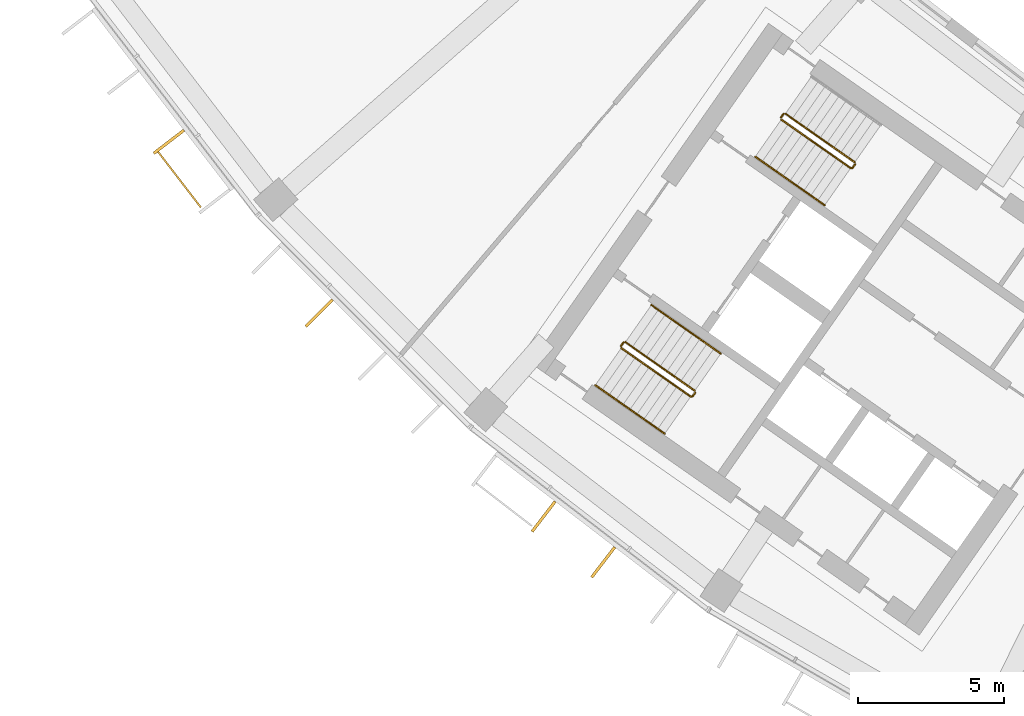
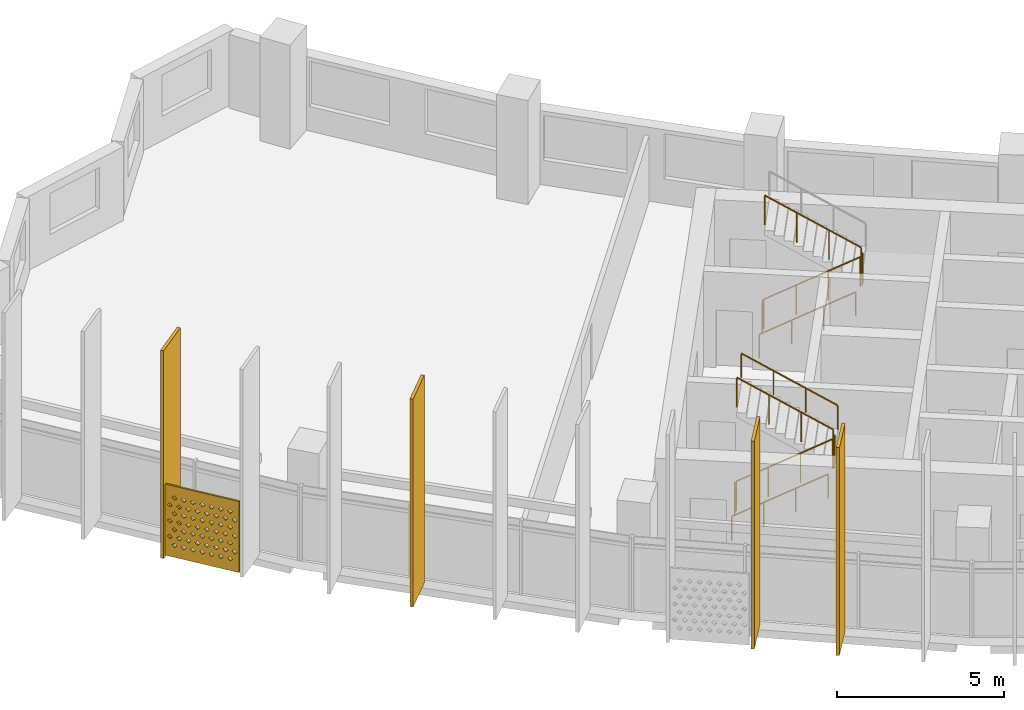
# One storey, part 23 of 28: 9 railings, 5 shading devices.
"""IFC4 building model written with IfcOpenShell, lengths in metres."""

from ifc_helpers import new_model, si_unit, direction, frame, origin, origin_2d, place, context, subcontext, project, spatial, polyline, rectangle, circle, outline, extrude, material, material_profile, profile_set, type_object, element, save


model = new_model("IFC4")

# Units and contexts
model_context = context("Model", 3, precision=1e-05, world=origin(), true_north=direction((0.0, 1.0)))
body_context = subcontext(model_context, "Body", "Model", "MODEL_VIEW")
ifc_project = project(units=[si_unit("LENGTHUNIT", "METRE"), si_unit("AREAUNIT", "SQUARE_METRE"), si_unit("VOLUMEUNIT", "CUBIC_METRE"), si_unit("PLANEANGLEUNIT", "RADIAN"), si_unit("MASSUNIT", "GRAM", prefix="KILO")], contexts=[model_context])

# Site, building, storey
site_placement = place(None, origin())
site = spatial("IfcSite", under=ifc_project, at=site_placement, CompositionType="ELEMENT")
building_placement = place(site_placement, origin())
building = spatial("IfcBuilding", under=site, at=building_placement, Name="Qamariyya Broadcast Tower", CompositionType="ELEMENT")
storey_placement = place(building_placement, frame((0.0, 0.0, 241.699951171875)))
storey = spatial("IfcBuildingStorey", under=building, at=storey_placement, Name="L58", CompositionType="ELEMENT", Elevation=241.699951171875)

# Shading device
ifc_material_1 = material(Name="Perforated glazed terracotta", Category="masonry")
ifc_material_profile_1 = material_profile(ifc_material_1, outline(polyline([(-1.199951171875, -1.300048828125), (1.199951171875, -1.300048828125), (1.199951171875, 1.300048828125), (-1.199951171875, 1.300048828125), (-1.199951171875, -1.300048828125)]), holes=[polyline([(-0.81494140625, -0.86669921875), (-0.89990234375, -0.78173828125), (-0.985107421875, -0.86669921875), (-0.89990234375, -0.95166015625), (-0.81494140625, -0.86669921875)]), polyline([(-0.514892578125, -0.86669921875), (-0.60009765625, -0.78173828125), (-0.68505859375, -0.86669921875), (-0.60009765625, -0.95166015625), (-0.514892578125, -0.86669921875)]), polyline([(-0.215087890625, -0.86669921875), (-0.300048828125, -0.78173828125), (-0.385009765625, -0.86669921875), (-0.300048828125, -0.95166015625), (-0.215087890625, -0.86669921875)]), polyline([(0.0849609375, -0.86669921875), (0.0, -0.78173828125), (-0.0849609375, -0.86669921875), (0.0, -0.95166015625), (0.0849609375, -0.86669921875)]), polyline([(0.385009765625, -0.86669921875), (0.300048828125, -0.78173828125), (0.215087890625, -0.86669921875), (0.300048828125, -0.95166015625), (0.385009765625, -0.86669921875)]), polyline([(0.68505859375, -0.86669921875), (0.60009765625, -0.78173828125), (0.514892578125, -0.86669921875), (0.60009765625, -0.95166015625), (0.68505859375, -0.86669921875)]), polyline([(0.985107421875, -0.86669921875), (0.89990234375, -0.78173828125), (0.81494140625, -0.86669921875), (0.89990234375, -0.95166015625), (0.985107421875, -0.86669921875)]), polyline([(-0.965087890625, -0.577880859375), (-1.050048828125, -0.49267578125), (-1.135009765625, -0.577880859375), (-1.050048828125, -0.662841796875), (-0.965087890625, -0.577880859375)]), polyline([(-0.6650390625, -0.577880859375), (-0.75, -0.49267578125), (-0.8349609375, -0.577880859375), (-0.75, -0.662841796875), (-0.6650390625, -0.577880859375)]), polyline([(-0.364990234375, -0.577880859375), (-0.449951171875, -0.49267578125), (-0.534912109375, -0.577880859375), (-0.449951171875, -0.662841796875), (-0.364990234375, -0.577880859375)]), polyline([(-0.06494140625, -0.577880859375), (-0.14990234375, -0.49267578125), (-0.235107421875, -0.577880859375), (-0.14990234375, -0.662841796875), (-0.06494140625, -0.577880859375)]), polyline([(0.235107421875, -0.577880859375), (0.14990234375, -0.49267578125), (0.06494140625, -0.577880859375), (0.14990234375, -0.662841796875), (0.235107421875, -0.577880859375)]), polyline([(0.534912109375, -0.577880859375), (0.449951171875, -0.49267578125), (0.364990234375, -0.577880859375), (0.449951171875, -0.662841796875), (0.534912109375, -0.577880859375)]), polyline([(0.8349609375, -0.577880859375), (0.75, -0.49267578125), (0.6650390625, -0.577880859375), (0.75, -0.662841796875), (0.8349609375, -0.577880859375)]), polyline([(1.135009765625, -0.577880859375), (1.050048828125, -0.49267578125), (0.965087890625, -0.577880859375), (1.050048828125, -0.662841796875), (1.135009765625, -0.577880859375)]), polyline([(-0.81494140625, -0.288818359375), (-0.89990234375, -0.203857421875), (-0.985107421875, -0.288818359375), (-0.89990234375, -0.373779296875), (-0.81494140625, -0.288818359375)]), polyline([(-0.514892578125, -0.288818359375), (-0.60009765625, -0.203857421875), (-0.68505859375, -0.288818359375), (-0.60009765625, -0.373779296875), (-0.514892578125, -0.288818359375)]), polyline([(-0.215087890625, -0.288818359375), (-0.300048828125, -0.203857421875), (-0.385009765625, -0.288818359375), (-0.300048828125, -0.373779296875), (-0.215087890625, -0.288818359375)]), polyline([(0.0849609375, -0.288818359375), (0.0, -0.203857421875), (-0.0849609375, -0.288818359375), (0.0, -0.373779296875), (0.0849609375, -0.288818359375)]), polyline([(0.385009765625, -0.288818359375), (0.300048828125, -0.203857421875), (0.215087890625, -0.288818359375), (0.300048828125, -0.373779296875), (0.385009765625, -0.288818359375)]), polyline([(0.68505859375, -0.288818359375), (0.60009765625, -0.203857421875), (0.514892578125, -0.288818359375), (0.60009765625, -0.373779296875), (0.68505859375, -0.288818359375)]), polyline([(0.985107421875, -0.288818359375), (0.89990234375, -0.203857421875), (0.81494140625, -0.288818359375), (0.89990234375, -0.373779296875), (0.985107421875, -0.288818359375)]), polyline([(-0.965087890625, 0.0), (-1.050048828125, 0.0849609375), (-1.135009765625, 0.0), (-1.050048828125, -0.0849609375), (-0.965087890625, 0.0)]), polyline([(-0.6650390625, 0.0), (-0.75, 0.0849609375), (-0.8349609375, 0.0), (-0.75, -0.0849609375), (-0.6650390625, 0.0)]), polyline([(-0.364990234375, 0.0), (-0.449951171875, 0.0849609375), (-0.534912109375, 0.0), (-0.449951171875, -0.0849609375), (-0.364990234375, 0.0)]), polyline([(-0.06494140625, 0.0), (-0.14990234375, 0.0849609375), (-0.235107421875, 0.0), (-0.14990234375, -0.0849609375), (-0.06494140625, 0.0)]), polyline([(0.235107421875, 0.0), (0.14990234375, 0.0849609375), (0.06494140625, 0.0), (0.14990234375, -0.0849609375), (0.235107421875, 0.0)]), polyline([(0.534912109375, 0.0), (0.449951171875, 0.0849609375), (0.364990234375, 0.0), (0.449951171875, -0.0849609375), (0.534912109375, 0.0)]), polyline([(0.8349609375, 0.0), (0.75, 0.0849609375), (0.6650390625, 0.0), (0.75, -0.0849609375), (0.8349609375, 0.0)]), polyline([(1.135009765625, 0.0), (1.050048828125, 0.0849609375), (0.965087890625, 0.0), (1.050048828125, -0.0849609375), (1.135009765625, 0.0)]), polyline([(-0.81494140625, 0.288818359375), (-0.89990234375, 0.373779296875), (-0.985107421875, 0.288818359375), (-0.89990234375, 0.203857421875), (-0.81494140625, 0.288818359375)]), polyline([(-0.514892578125, 0.288818359375), (-0.60009765625, 0.373779296875), (-0.68505859375, 0.288818359375), (-0.60009765625, 0.203857421875), (-0.514892578125, 0.288818359375)]), polyline([(-0.215087890625, 0.288818359375), (-0.300048828125, 0.373779296875), (-0.385009765625, 0.288818359375), (-0.300048828125, 0.203857421875), (-0.215087890625, 0.288818359375)]), polyline([(0.0849609375, 0.288818359375), (0.0, 0.373779296875), (-0.0849609375, 0.288818359375), (0.0, 0.203857421875), (0.0849609375, 0.288818359375)]), polyline([(0.385009765625, 0.288818359375), (0.300048828125, 0.373779296875), (0.215087890625, 0.288818359375), (0.300048828125, 0.203857421875), (0.385009765625, 0.288818359375)]), polyline([(0.68505859375, 0.288818359375), (0.60009765625, 0.373779296875), (0.514892578125, 0.288818359375), (0.60009765625, 0.203857421875), (0.68505859375, 0.288818359375)]), polyline([(0.985107421875, 0.288818359375), (0.89990234375, 0.373779296875), (0.81494140625, 0.288818359375), (0.89990234375, 0.203857421875), (0.985107421875, 0.288818359375)]), polyline([(-0.965087890625, 0.577880859375), (-1.050048828125, 0.662841796875), (-1.135009765625, 0.577880859375), (-1.050048828125, 0.49267578125), (-0.965087890625, 0.577880859375)]), polyline([(-0.6650390625, 0.577880859375), (-0.75, 0.662841796875), (-0.8349609375, 0.577880859375), (-0.75, 0.49267578125), (-0.6650390625, 0.577880859375)]), polyline([(-0.364990234375, 0.577880859375), (-0.449951171875, 0.662841796875), (-0.534912109375, 0.577880859375), (-0.449951171875, 0.49267578125), (-0.364990234375, 0.577880859375)]), polyline([(-0.06494140625, 0.577880859375), (-0.14990234375, 0.662841796875), (-0.235107421875, 0.577880859375), (-0.14990234375, 0.49267578125), (-0.06494140625, 0.577880859375)]), polyline([(0.235107421875, 0.577880859375), (0.14990234375, 0.662841796875), (0.06494140625, 0.577880859375), (0.14990234375, 0.49267578125), (0.235107421875, 0.577880859375)]), polyline([(0.534912109375, 0.577880859375), (0.449951171875, 0.662841796875), (0.364990234375, 0.577880859375), (0.449951171875, 0.49267578125), (0.534912109375, 0.577880859375)]), polyline([(0.8349609375, 0.577880859375), (0.75, 0.662841796875), (0.6650390625, 0.577880859375), (0.75, 0.49267578125), (0.8349609375, 0.577880859375)]), polyline([(1.135009765625, 0.577880859375), (1.050048828125, 0.662841796875), (0.965087890625, 0.577880859375), (1.050048828125, 0.49267578125), (1.135009765625, 0.577880859375)]), polyline([(-0.81494140625, 0.86669921875), (-0.89990234375, 0.95166015625), (-0.985107421875, 0.86669921875), (-0.89990234375, 0.78173828125), (-0.81494140625, 0.86669921875)]), polyline([(-0.514892578125, 0.86669921875), (-0.60009765625, 0.95166015625), (-0.68505859375, 0.86669921875), (-0.60009765625, 0.78173828125), (-0.514892578125, 0.86669921875)]), polyline([(-0.215087890625, 0.86669921875), (-0.300048828125, 0.95166015625), (-0.385009765625, 0.86669921875), (-0.300048828125, 0.78173828125), (-0.215087890625, 0.86669921875)]), polyline([(0.0849609375, 0.86669921875), (0.0, 0.95166015625), (-0.0849609375, 0.86669921875), (0.0, 0.78173828125), (0.0849609375, 0.86669921875)]), polyline([(0.385009765625, 0.86669921875), (0.300048828125, 0.95166015625), (0.215087890625, 0.86669921875), (0.300048828125, 0.78173828125), (0.385009765625, 0.86669921875)]), polyline([(0.68505859375, 0.86669921875), (0.60009765625, 0.95166015625), (0.514892578125, 0.86669921875), (0.60009765625, 0.78173828125), (0.68505859375, 0.86669921875)]), polyline([(0.985107421875, 0.86669921875), (0.89990234375, 0.95166015625), (0.81494140625, 0.86669921875), (0.89990234375, 0.78173828125), (0.985107421875, 0.86669921875)])]))
ifc_profile_set_1 = profile_set([ifc_material_profile_1], Name="Perforated glazed terracotta")
shading_device_type_1 = type_object("IfcShadingDeviceType", Name="Perforated terracotta screen 2400 x 2600", PredefinedType="USERDEFINED", material=ifc_profile_set_1)
shading_device_placement = place(storey_placement, frame((-61.727294921875, -50.5615234375, 1.35009765625), z_axis=(-0.792623989105, -0.60971076085, 0.0), x_axis=(0.60971076085, -0.792623989105, 0.0)))
element("IfcShadingDevice", 1, at=shading_device_placement, inside=storey, type_object=shading_device_type_1, Name="e-scr-L58-01-2", ObjectType="SCREEN", PredefinedType="USERDEFINED", context=body_context, shape_type="SweptSolid", body=[
    extrude(outline(polyline([(-1.199951171875, -1.300048828125), (1.199951171875, -1.300048828125), (1.199951171875, 1.300048828125), (-1.199951171875, 1.300048828125), (-1.199951171875, -1.300048828125)]), holes=[polyline([(-0.81494140625, -0.86669921875), (-0.89990234375, -0.78173828125), (-0.985107421875, -0.86669921875), (-0.89990234375, -0.95166015625), (-0.81494140625, -0.86669921875)]), polyline([(-0.514892578125, -0.86669921875), (-0.60009765625, -0.78173828125), (-0.68505859375, -0.86669921875), (-0.60009765625, -0.95166015625), (-0.514892578125, -0.86669921875)]), polyline([(-0.215087890625, -0.86669921875), (-0.300048828125, -0.78173828125), (-0.385009765625, -0.86669921875), (-0.300048828125, -0.95166015625), (-0.215087890625, -0.86669921875)]), polyline([(0.0849609375, -0.86669921875), (0.0, -0.78173828125), (-0.0849609375, -0.86669921875), (0.0, -0.95166015625), (0.0849609375, -0.86669921875)]), polyline([(0.385009765625, -0.86669921875), (0.300048828125, -0.78173828125), (0.215087890625, -0.86669921875), (0.300048828125, -0.95166015625), (0.385009765625, -0.86669921875)]), polyline([(0.68505859375, -0.86669921875), (0.60009765625, -0.78173828125), (0.514892578125, -0.86669921875), (0.60009765625, -0.95166015625), (0.68505859375, -0.86669921875)]), polyline([(0.985107421875, -0.86669921875), (0.89990234375, -0.78173828125), (0.81494140625, -0.86669921875), (0.89990234375, -0.95166015625), (0.985107421875, -0.86669921875)]), polyline([(-0.965087890625, -0.577880859375), (-1.050048828125, -0.49267578125), (-1.135009765625, -0.577880859375), (-1.050048828125, -0.662841796875), (-0.965087890625, -0.577880859375)]), polyline([(-0.6650390625, -0.577880859375), (-0.75, -0.49267578125), (-0.8349609375, -0.577880859375), (-0.75, -0.662841796875), (-0.6650390625, -0.577880859375)]), polyline([(-0.364990234375, -0.577880859375), (-0.449951171875, -0.49267578125), (-0.534912109375, -0.577880859375), (-0.449951171875, -0.662841796875), (-0.364990234375, -0.577880859375)]), polyline([(-0.06494140625, -0.577880859375), (-0.14990234375, -0.49267578125), (-0.235107421875, -0.577880859375), (-0.14990234375, -0.662841796875), (-0.06494140625, -0.577880859375)]), polyline([(0.235107421875, -0.577880859375), (0.14990234375, -0.49267578125), (0.06494140625, -0.577880859375), (0.14990234375, -0.662841796875), (0.235107421875, -0.577880859375)]), polyline([(0.534912109375, -0.577880859375), (0.449951171875, -0.49267578125), (0.364990234375, -0.577880859375), (0.449951171875, -0.662841796875), (0.534912109375, -0.577880859375)]), polyline([(0.8349609375, -0.577880859375), (0.75, -0.49267578125), (0.6650390625, -0.577880859375), (0.75, -0.662841796875), (0.8349609375, -0.577880859375)]), polyline([(1.135009765625, -0.577880859375), (1.050048828125, -0.49267578125), (0.965087890625, -0.577880859375), (1.050048828125, -0.662841796875), (1.135009765625, -0.577880859375)]), polyline([(-0.81494140625, -0.288818359375), (-0.89990234375, -0.203857421875), (-0.985107421875, -0.288818359375), (-0.89990234375, -0.373779296875), (-0.81494140625, -0.288818359375)]), polyline([(-0.514892578125, -0.288818359375), (-0.60009765625, -0.203857421875), (-0.68505859375, -0.288818359375), (-0.60009765625, -0.373779296875), (-0.514892578125, -0.288818359375)]), polyline([(-0.215087890625, -0.288818359375), (-0.300048828125, -0.203857421875), (-0.385009765625, -0.288818359375), (-0.300048828125, -0.373779296875), (-0.215087890625, -0.288818359375)]), polyline([(0.0849609375, -0.288818359375), (0.0, -0.203857421875), (-0.0849609375, -0.288818359375), (0.0, -0.373779296875), (0.0849609375, -0.288818359375)]), polyline([(0.385009765625, -0.288818359375), (0.300048828125, -0.203857421875), (0.215087890625, -0.288818359375), (0.300048828125, -0.373779296875), (0.385009765625, -0.288818359375)]), polyline([(0.68505859375, -0.288818359375), (0.60009765625, -0.203857421875), (0.514892578125, -0.288818359375), (0.60009765625, -0.373779296875), (0.68505859375, -0.288818359375)]), polyline([(0.985107421875, -0.288818359375), (0.89990234375, -0.203857421875), (0.81494140625, -0.288818359375), (0.89990234375, -0.373779296875), (0.985107421875, -0.288818359375)]), polyline([(-0.965087890625, 0.0), (-1.050048828125, 0.0849609375), (-1.135009765625, 0.0), (-1.050048828125, -0.0849609375), (-0.965087890625, 0.0)]), polyline([(-0.6650390625, 0.0), (-0.75, 0.0849609375), (-0.8349609375, 0.0), (-0.75, -0.0849609375), (-0.6650390625, 0.0)]), polyline([(-0.364990234375, 0.0), (-0.449951171875, 0.0849609375), (-0.534912109375, 0.0), (-0.449951171875, -0.0849609375), (-0.364990234375, 0.0)]), polyline([(-0.06494140625, 0.0), (-0.14990234375, 0.0849609375), (-0.235107421875, 0.0), (-0.14990234375, -0.0849609375), (-0.06494140625, 0.0)]), polyline([(0.235107421875, 0.0), (0.14990234375, 0.0849609375), (0.06494140625, 0.0), (0.14990234375, -0.0849609375), (0.235107421875, 0.0)]), polyline([(0.534912109375, 0.0), (0.449951171875, 0.0849609375), (0.364990234375, 0.0), (0.449951171875, -0.0849609375), (0.534912109375, 0.0)]), polyline([(0.8349609375, 0.0), (0.75, 0.0849609375), (0.6650390625, 0.0), (0.75, -0.0849609375), (0.8349609375, 0.0)]), polyline([(1.135009765625, 0.0), (1.050048828125, 0.0849609375), (0.965087890625, 0.0), (1.050048828125, -0.0849609375), (1.135009765625, 0.0)]), polyline([(-0.81494140625, 0.288818359375), (-0.89990234375, 0.373779296875), (-0.985107421875, 0.288818359375), (-0.89990234375, 0.203857421875), (-0.81494140625, 0.288818359375)]), polyline([(-0.514892578125, 0.288818359375), (-0.60009765625, 0.373779296875), (-0.68505859375, 0.288818359375), (-0.60009765625, 0.203857421875), (-0.514892578125, 0.288818359375)]), polyline([(-0.215087890625, 0.288818359375), (-0.300048828125, 0.373779296875), (-0.385009765625, 0.288818359375), (-0.300048828125, 0.203857421875), (-0.215087890625, 0.288818359375)]), polyline([(0.0849609375, 0.288818359375), (0.0, 0.373779296875), (-0.0849609375, 0.288818359375), (0.0, 0.203857421875), (0.0849609375, 0.288818359375)]), polyline([(0.385009765625, 0.288818359375), (0.300048828125, 0.373779296875), (0.215087890625, 0.288818359375), (0.300048828125, 0.203857421875), (0.385009765625, 0.288818359375)]), polyline([(0.68505859375, 0.288818359375), (0.60009765625, 0.373779296875), (0.514892578125, 0.288818359375), (0.60009765625, 0.203857421875), (0.68505859375, 0.288818359375)]), polyline([(0.985107421875, 0.288818359375), (0.89990234375, 0.373779296875), (0.81494140625, 0.288818359375), (0.89990234375, 0.203857421875), (0.985107421875, 0.288818359375)]), polyline([(-0.965087890625, 0.577880859375), (-1.050048828125, 0.662841796875), (-1.135009765625, 0.577880859375), (-1.050048828125, 0.49267578125), (-0.965087890625, 0.577880859375)]), polyline([(-0.6650390625, 0.577880859375), (-0.75, 0.662841796875), (-0.8349609375, 0.577880859375), (-0.75, 0.49267578125), (-0.6650390625, 0.577880859375)]), polyline([(-0.364990234375, 0.577880859375), (-0.449951171875, 0.662841796875), (-0.534912109375, 0.577880859375), (-0.449951171875, 0.49267578125), (-0.364990234375, 0.577880859375)]), polyline([(-0.06494140625, 0.577880859375), (-0.14990234375, 0.662841796875), (-0.235107421875, 0.577880859375), (-0.14990234375, 0.49267578125), (-0.06494140625, 0.577880859375)]), polyline([(0.235107421875, 0.577880859375), (0.14990234375, 0.662841796875), (0.06494140625, 0.577880859375), (0.14990234375, 0.49267578125), (0.235107421875, 0.577880859375)]), polyline([(0.534912109375, 0.577880859375), (0.449951171875, 0.662841796875), (0.364990234375, 0.577880859375), (0.449951171875, 0.49267578125), (0.534912109375, 0.577880859375)]), polyline([(0.8349609375, 0.577880859375), (0.75, 0.662841796875), (0.6650390625, 0.577880859375), (0.75, 0.49267578125), (0.8349609375, 0.577880859375)]), polyline([(1.135009765625, 0.577880859375), (1.050048828125, 0.662841796875), (0.965087890625, 0.577880859375), (1.050048828125, 0.49267578125), (1.135009765625, 0.577880859375)]), polyline([(-0.81494140625, 0.86669921875), (-0.89990234375, 0.95166015625), (-0.985107421875, 0.86669921875), (-0.89990234375, 0.78173828125), (-0.81494140625, 0.86669921875)]), polyline([(-0.514892578125, 0.86669921875), (-0.60009765625, 0.95166015625), (-0.68505859375, 0.86669921875), (-0.60009765625, 0.78173828125), (-0.514892578125, 0.86669921875)]), polyline([(-0.215087890625, 0.86669921875), (-0.300048828125, 0.95166015625), (-0.385009765625, 0.86669921875), (-0.300048828125, 0.78173828125), (-0.215087890625, 0.86669921875)]), polyline([(0.0849609375, 0.86669921875), (0.0, 0.95166015625), (-0.0849609375, 0.86669921875), (0.0, 0.78173828125), (0.0849609375, 0.86669921875)]), polyline([(0.385009765625, 0.86669921875), (0.300048828125, 0.95166015625), (0.215087890625, 0.86669921875), (0.300048828125, 0.78173828125), (0.385009765625, 0.86669921875)]), polyline([(0.68505859375, 0.86669921875), (0.60009765625, 0.95166015625), (0.514892578125, 0.86669921875), (0.60009765625, 0.78173828125), (0.68505859375, 0.86669921875)]), polyline([(0.985107421875, 0.86669921875), (0.89990234375, 0.95166015625), (0.81494140625, 0.86669921875), (0.89990234375, 0.78173828125), (0.985107421875, 0.86669921875)])]), origin(), (0.0, 0.0, 1.0), 0.06005859375),
])

# Railings
ifc_material_2 = material(Name="Painted steel", Category="steel")
railing_type_1 = type_object("IfcRailingType", Name="Stair guard", PredefinedType="GUARDRAIL", material=ifc_material_2)
railing_1_placement = place(storey_placement, frame((-41.146728515625, -48.52490234375, 0.1728515625)))
element("IfcRailing", 2, at=railing_1_placement, inside=storey, type_object=railing_type_1, Name="L58 ST-W2 stair guard 1", PredefinedType="GUARDRAIL", context=body_context, shape_type="SweptSolid", body=[
    extrude(circle(Radius=0.02392578125, at=origin_2d()), frame((0.0, 0.0, 1.076171875), z_axis=(0.703770094002, -0.492783725636, 0.511734163933), x_axis=(0.573575343427, 0.819152809562, 0.0)), (0.0, 0.0, 1.0), 3.37548828125),
    extrude(circle(Radius=0.02392578125, at=origin_2d()), frame((2.37548828125, -1.663330078125, 2.80322265625), z_axis=(0.985059694769, 0.172213233351, 0.0), x_axis=(-0.172213233351, 0.985059694769, 0.0)), (0.0, 0.0, 1.0), 0.07080078125),
    extrude(circle(Radius=0.02392578125, at=origin_2d()), frame((2.4453125, -1.651123046875, 2.80322265625), z_axis=(0.572588637393, 0.819842821722, 0.0), x_axis=(-0.819842821722, 0.572588637393, 0.0)), (0.0, 0.0, 1.0), 0.150146484375),
    extrude(circle(Radius=0.02099609375, at=origin_2d()), origin(), (0.0, 0.0, 1.0), 1.052001953125),
    extrude(circle(Radius=0.02099609375, at=origin_2d()), frame((0.791748046875, -0.554443359375, 0.57568359375)), (0.0, 0.0, 1.0), 1.052001953125),
    extrude(circle(Radius=0.02099609375, at=origin_2d()), frame((1.583740234375, -1.10888671875, 1.151611328125)), (0.0, 0.0, 1.0), 1.052001953125),
    extrude(circle(Radius=0.02099609375, at=origin_2d()), frame((2.37548828125, -1.663330078125, 1.727294921875)), (0.0, 0.0, 1.0), 1.052001953125),
    extrude(circle(Radius=0.02099609375, at=origin_2d()), frame((2.4453125, -1.651123046875, 1.727294921875)), (0.0, 0.0, 1.0), 1.052001953125),
    extrude(circle(Radius=0.02099609375, at=origin_2d()), frame((2.53125, -1.528076171875, 1.727294921875)), (0.0, 0.0, 1.0), 1.052001953125),
])
railing_2_placement = place(storey_placement, frame((-38.627685546875, -49.9833984375, 2.07275390625)))
element("IfcRailing", 3, at=railing_2_placement, inside=storey, type_object=railing_type_1, Name="L58 ST-W2 stair guard 2", PredefinedType="GUARDRAIL", context=body_context, shape_type="SweptSolid", body=[
    extrude(circle(Radius=0.02392578125, at=origin_2d()), frame((0.0, 0.0, 1.076171875), z_axis=(-0.703770094002, 0.492783725636, 0.511734163933), x_axis=(-0.573575343427, -0.819152809562, 0.0)), (0.0, 0.0, 1.0), 3.37548828125),
    extrude(circle(Radius=0.02099609375, at=origin_2d()), origin(), (0.0, 0.0, 1.0), 1.052001953125),
    extrude(circle(Radius=0.02099609375, at=origin_2d()), frame((-0.791748046875, 0.554443359375, 0.57568359375)), (0.0, 0.0, 1.0), 1.052001953125),
    extrude(circle(Radius=0.02099609375, at=origin_2d()), frame((-1.583740234375, 1.10888671875, 1.151611328125)), (0.0, 0.0, 1.0), 1.052001953125),
    extrude(circle(Radius=0.02099609375, at=origin_2d()), frame((-2.37548828125, 1.663330078125, 1.727294921875)), (0.0, 0.0, 1.0), 1.052001953125),
])
railing_3_placement = place(storey_placement, frame((-41.158935546875, -48.455322265625, 0.0)))
element("IfcRailing", 4, at=railing_3_placement, inside=storey, type_object=railing_type_1, Name="L58 ST-W2 stair guard 3", PredefinedType="GUARDRAIL", context=body_context, shape_type="SweptSolid", body=[
    extrude(circle(Radius=0.02392578125, at=origin_2d()), frame((0.0, 0.0, 1.076171875), z_axis=(0.572588637393, 0.819842821722, 0.0), x_axis=(-0.819842821722, 0.572588637393, 0.0)), (0.0, 0.0, 1.0), 0.150146484375),
    extrude(circle(Radius=0.02099609375, at=origin_2d()), origin(), (0.0, 0.0, 1.0), 1.052001953125),
    extrude(circle(Radius=0.02099609375, at=origin_2d()), frame((0.0859375, 0.123046875, 0.0)), (0.0, 0.0, 1.0), 1.052001953125),
])
railing_4_placement = place(storey_placement, frame((-46.624267578125, -56.34765625, 0.1728515625)))
element("IfcRailing", 5, at=railing_4_placement, inside=storey, type_object=railing_type_1, Name="L58 ST-W1 stair guard 1", PredefinedType="GUARDRAIL", context=body_context, shape_type="SweptSolid", body=[
    extrude(circle(Radius=0.02392578125, at=origin_2d()), frame((0.0, 0.0, 1.076171875), z_axis=(0.703745009021, -0.492838488332, 0.511715923826), x_axis=(0.573631830683, 0.819113253969, 0.0)), (0.0, 0.0, 1.0), 3.37548828125),
    extrude(circle(Radius=0.02392578125, at=origin_2d()), frame((2.37548828125, -1.66357421875, 2.80322265625), z_axis=(0.984363469884, 0.176149252506, 0.0), x_axis=(-0.176149252506, 0.984363469884, 0.0)), (0.0, 0.0, 1.0), 0.07080078125),
    extrude(circle(Radius=0.02392578125, at=origin_2d()), frame((2.445068359375, -1.651123046875, 2.80322265625), z_axis=(0.574444878118, 0.818543268254, 0.0), x_axis=(-0.818543268254, 0.574444878118, 0.0)), (0.0, 0.0, 1.0), 0.150146484375),
    extrude(circle(Radius=0.02099609375, at=origin_2d()), origin(), (0.0, 0.0, 1.0), 1.052001953125),
    extrude(circle(Radius=0.02099609375, at=origin_2d()), frame((0.791748046875, -0.554443359375, 0.57568359375)), (0.0, 0.0, 1.0), 1.052001953125),
    extrude(circle(Radius=0.02099609375, at=origin_2d()), frame((1.583740234375, -1.109130859375, 1.151611328125)), (0.0, 0.0, 1.0), 1.052001953125),
    extrude(circle(Radius=0.02099609375, at=origin_2d()), frame((2.37548828125, -1.66357421875, 1.727294921875)), (0.0, 0.0, 1.0), 1.052001953125),
    extrude(circle(Radius=0.02099609375, at=origin_2d()), frame((2.445068359375, -1.651123046875, 1.727294921875)), (0.0, 0.0, 1.0), 1.052001953125),
    extrude(circle(Radius=0.02099609375, at=origin_2d()), frame((2.53125, -1.5283203125, 1.727294921875)), (0.0, 0.0, 1.0), 1.052001953125),
])
railing_5_placement = place(storey_placement, frame((-44.10546875, -57.806396484375, 2.07275390625)))
element("IfcRailing", 6, at=railing_5_placement, inside=storey, type_object=railing_type_1, Name="L58 ST-W1 stair guard 2", PredefinedType="GUARDRAIL", context=body_context, shape_type="SweptSolid", body=[
    extrude(circle(Radius=0.02392578125, at=origin_2d()), frame((0.0, 0.0, 1.076171875), z_axis=(-0.703770094002, 0.492783725636, 0.511734163933), x_axis=(-0.573575343427, -0.819152809562, 0.0)), (0.0, 0.0, 1.0), 3.37548828125),
    extrude(circle(Radius=0.02099609375, at=origin_2d()), origin(), (0.0, 0.0, 1.0), 1.052001953125),
    extrude(circle(Radius=0.02099609375, at=origin_2d()), frame((-0.791748046875, 0.554443359375, 0.57568359375)), (0.0, 0.0, 1.0), 1.052001953125),
    extrude(circle(Radius=0.02099609375, at=origin_2d()), frame((-1.583740234375, 1.10888671875, 1.151611328125)), (0.0, 0.0, 1.0), 1.052001953125),
    extrude(circle(Radius=0.02099609375, at=origin_2d()), frame((-2.37548828125, 1.663330078125, 1.727294921875)), (0.0, 0.0, 1.0), 1.052001953125),
])
railing_6_placement = place(storey_placement, frame((-46.63671875, -56.278076171875, 0.0)))
element("IfcRailing", 7, at=railing_6_placement, inside=storey, type_object=railing_type_1, Name="L58 ST-W1 stair guard 3", PredefinedType="GUARDRAIL", context=body_context, shape_type="SweptSolid", body=[
    extrude(circle(Radius=0.02392578125, at=origin_2d()), frame((0.0, 0.0, 1.076171875), z_axis=(0.574444878118, 0.818543268254, 0.0), x_axis=(-0.818543268254, 0.574444878118, 0.0)), (0.0, 0.0, 1.0), 0.150146484375),
    extrude(circle(Radius=0.02099609375, at=origin_2d()), origin(), (0.0, 0.0, 1.0), 1.052001953125),
    extrude(circle(Radius=0.02099609375, at=origin_2d()), frame((0.086181640625, 0.122802734375, 0.0)), (0.0, 0.0, 1.0), 1.052001953125),
])
ifc_material_3 = material(Name="Stainless steel", Category="steel")
railing_type_2 = type_object("IfcRailingType", Name="Stair handrail", PredefinedType="HANDRAIL", material=ifc_material_3)
railing_7_placement = place(storey_placement, frame((-42.03564453125, -49.79443359375, 0.1728515625)))
element("IfcRailing", 8, at=railing_7_placement, inside=storey, type_object=railing_type_2, Name="L58 ST-W2 stair handrail 1", PredefinedType="HANDRAIL", context=body_context, shape_type="SweptSolid", body=[
    extrude(circle(Radius=0.02392578125, at=origin_2d()), frame((0.0, 0.0, 0.8759765625), z_axis=(0.703745009021, -0.492838488332, 0.511715923826), x_axis=(0.573631830683, 0.819113253969, 0.0)), (0.0, 0.0, 1.0), 3.37548828125),
    extrude(circle(Radius=0.02099609375, at=origin_2d()), origin(), (0.0, 0.0, 1.0), 0.851806640625),
    extrude(circle(Radius=0.02099609375, at=origin_2d()), frame((0.791748046875, -0.554443359375, 0.57568359375)), (0.0, 0.0, 1.0), 0.851806640625),
    extrude(circle(Radius=0.02099609375, at=origin_2d()), frame((1.583740234375, -1.109130859375, 1.151611328125)), (0.0, 0.0, 1.0), 0.851806640625),
    extrude(circle(Radius=0.02099609375, at=origin_2d()), frame((2.37548828125, -1.66357421875, 1.727294921875)), (0.0, 0.0, 1.0), 0.851806640625),
])
railing_8_placement = place(storey_placement, frame((-47.513427734375, -57.617431640625, 0.1728515625)))
element("IfcRailing", 9, at=railing_8_placement, inside=storey, type_object=railing_type_2, Name="L58 ST-W1 stair handrail 1", PredefinedType="HANDRAIL", context=body_context, shape_type="SweptSolid", body=[
    extrude(circle(Radius=0.02392578125, at=origin_2d()), frame((0.0, 0.0, 0.8759765625), z_axis=(0.703770094002, -0.492783725636, 0.511734163933), x_axis=(0.573575343427, 0.819152809562, 0.0)), (0.0, 0.0, 1.0), 3.37548828125),
    extrude(circle(Radius=0.02099609375, at=origin_2d()), origin(), (0.0, 0.0, 1.0), 0.851806640625),
    extrude(circle(Radius=0.02099609375, at=origin_2d()), frame((0.791748046875, -0.554443359375, 0.57568359375)), (0.0, 0.0, 1.0), 0.851806640625),
    extrude(circle(Radius=0.02099609375, at=origin_2d()), frame((1.583740234375, -1.10888671875, 1.151611328125)), (0.0, 0.0, 1.0), 0.851806640625),
    extrude(circle(Radius=0.02099609375, at=origin_2d()), frame((2.37548828125, -1.663330078125, 1.727294921875)), (0.0, 0.0, 1.0), 0.851806640625),
])
railing_9_placement = place(storey_placement, frame((-43.21630859375, -56.53662109375, 2.07275390625)))
element("IfcRailing", 10, at=railing_9_placement, inside=storey, type_object=railing_type_2, Name="L58 ST-W1 stair handrail 2", PredefinedType="HANDRAIL", context=body_context, shape_type="SweptSolid", body=[
    extrude(circle(Radius=0.02392578125, at=origin_2d()), frame((0.0, 0.0, 0.8759765625), z_axis=(-0.703770094002, 0.492783725636, 0.511734163933), x_axis=(-0.573575343427, -0.819152809562, 0.0)), (0.0, 0.0, 1.0), 3.37548828125),
    extrude(circle(Radius=0.02099609375, at=origin_2d()), origin(), (0.0, 0.0, 1.0), 0.851806640625),
    extrude(circle(Radius=0.02099609375, at=origin_2d()), frame((-0.791748046875, 0.554443359375, 0.57568359375)), (0.0, 0.0, 1.0), 0.851806640625),
    extrude(circle(Radius=0.02099609375, at=origin_2d()), frame((-1.583740234375, 1.10888671875, 1.151611328125)), (0.0, 0.0, 1.0), 0.851806640625),
    extrude(circle(Radius=0.02099609375, at=origin_2d()), frame((-2.37548828125, 1.663330078125, 1.727294921875)), (0.0, 0.0, 1.0), 0.851806640625),
])

# Shading devices
ifc_material_4 = material(Name="Glazed terracotta", Category="masonry")
ifc_material_profile_2 = material_profile(ifc_material_4, rectangle(XDim=1.300048828125, YDim=0.10009765625, at=origin_2d()))
ifc_profile_set_2 = profile_set([ifc_material_profile_2], Name="Glazed terracotta")
shading_device_type_2 = type_object("IfcShadingDeviceType", Name="Terracotta fin 100 x 1300", PredefinedType="USERDEFINED", material=ifc_profile_set_2)
for number, where, z_axis, x_axis, name in (
    (11, (-62.115478515625, -49.283935546875, 0.0), (0.0, 0.0, 1.0), (-0.793353340291, -0.608761429009, 0.0), "e-fin-L58-01-2"),
    (12, (-56.969970703125, -55.151123046875, 0.0), (0.0, 0.0, 1.0), (-0.707106781187, -0.707106781187, 0.0), "e-fin-L58-02-1"),
    (13, (-49.283935546875, -62.115478515625, 0.0), (0.0, 0.0, 1.0), (-0.608761429009, -0.793353340291, 0.0), "e-fin-L58-03-1"),
    (14, (-47.243408203125, -63.68115234375, 0.0), (0.0, 0.0, 1.0), (-0.608761429009, -0.793353340291, 0.0), "e-fin-L58-03-2"),
):
    element("IfcShadingDevice", number, at=place(storey_placement, frame(where, z_axis=z_axis, x_axis=x_axis)), inside=storey, type_object=shading_device_type_2, Name=name, ObjectType="FIN", PredefinedType="USERDEFINED", context=body_context, shape_type="SweptSolid", body=[
        extrude(rectangle(XDim=1.300048828125, YDim=0.10009765625, at=origin_2d()), origin(), (0.0, 0.0, 1.0), 7.60009765625),
    ])

save(model, "model.ifc")
